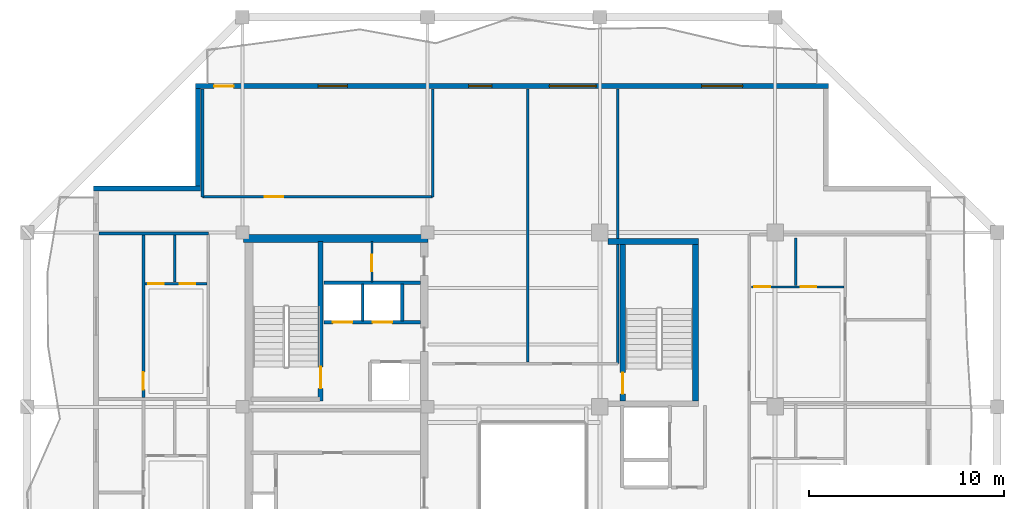
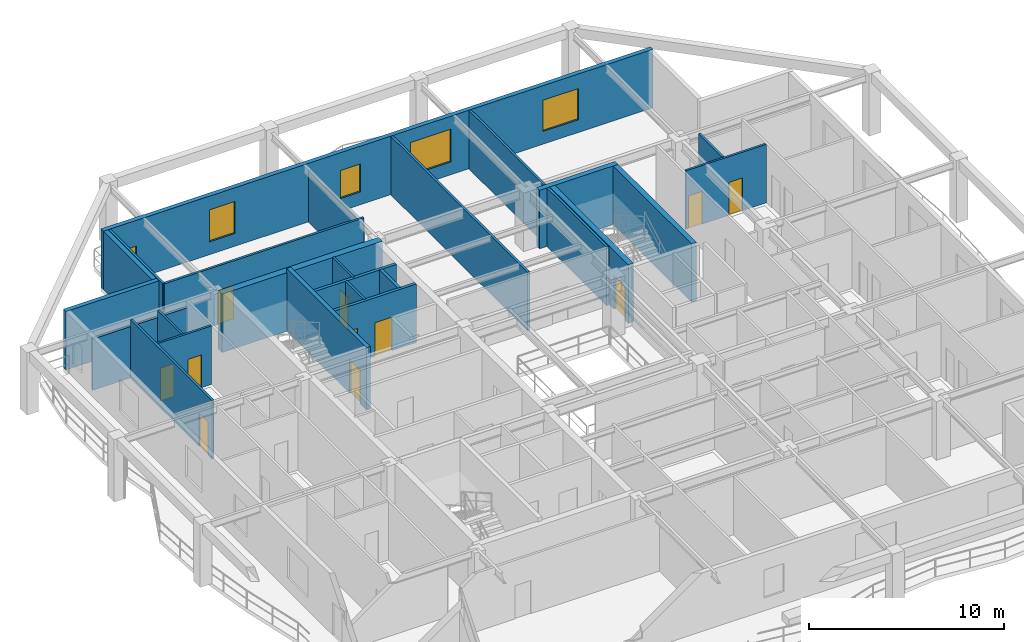
# One storey, part 6 of 13: 24 walls, 12 doors, 4 windows, 16 openings.
"""IFC4 building model written with IfcOpenShell, lengths in metres."""

from ifc_helpers import new_model, si_unit, direction, frame, frame_2d, origin, place, context, subcontext, project, spatial, rectangle, extrude, material, layer, layer_set, type_object, element, fill, save


model = new_model("IFC4")

# Units and contexts
model_context = context("Model", 3, precision=1e-05, world=origin(), true_north=direction((0.0, 1.0)))
body_context = subcontext(model_context, "Body", "Model", "MODEL_VIEW")
ifc_project = project(units=[si_unit("LENGTHUNIT", "METRE"), si_unit("AREAUNIT", "SQUARE_METRE"), si_unit("VOLUMEUNIT", "CUBIC_METRE"), si_unit("PLANEANGLEUNIT", "RADIAN"), si_unit("MASSUNIT", "GRAM", prefix="KILO")], contexts=[model_context])

# Site, building, storey
site_placement = place(None, origin())
site = spatial("IfcSite", under=ifc_project, at=site_placement, CompositionType="ELEMENT")
building_placement = place(site_placement, origin())
building = spatial("IfcBuilding", under=site, at=building_placement, Name="Kundavana Baori Tower", CompositionType="ELEMENT")
storey_placement = place(building_placement, frame((0.0, 0.0, 225.800048828125)))
storey = spatial("IfcBuildingStorey", under=building, at=storey_placement, Name="L55", CompositionType="ELEMENT", Elevation=225.800048828125)

# Wall
ifc_material_1 = material(Name="Concrete C50/60", Category="concrete")
ifc_layer_1 = layer(ifc_material_1, 0.39990234375, Name="WL-CORE-400")
ifc_layer_set_1 = layer_set([ifc_layer_1], Name="Concrete C50/60")
wall_type_1 = type_object("IfcWallType", Name="WL-CORE-400", PredefinedType="SHEAR", material=ifc_layer_set_1)
wall_1_placement = place(storey_placement, frame((15.5, 41.639892578125, 0.0), z_axis=(0.0, 0.0, 1.0), x_axis=(1.0, 0.0, 0.0)))
element("IfcWall", 1, at=wall_1_placement, inside=storey, type_object=wall_type_1, Name="L55 Offset Core North Shear Wall", PredefinedType="SHEAR", context=body_context, shape_type="SweptSolid", body=[
    extrude(rectangle(XDim=9.47998046875, YDim=0.39990234375, at=frame_2d((4.739990234375, 0.0))), origin(), (0.0, 0.0, 1.0), 3.659912109375),
])

# Wall, opening, door
wall_2_placement = place(storey_placement, frame((19.4599609375, 33.300048828125, 0.0), z_axis=(0.0, 0.0, 1.0), x_axis=(0.0, 1.0, 0.0)))
wall_2 = element("IfcWall", 2, at=wall_2_placement, inside=storey, type_object=wall_type_1, Name="WL-L55-ST2-E", PredefinedType="SHEAR", context=body_context, shape_type="SweptSolid", body=[
    extrude(rectangle(XDim=8.179931640625, YDim=0.239990234375, at=frame_2d((4.08984375, 0.0))), origin(), (0.0, 0.0, 1.0), 3.89990234375),
])
opening_1_placement = place(wall_2_placement, frame((0.64990234375, 0.0, 0.0)))
opening_1 = element("IfcOpeningElement", 3, at=opening_1_placement, cuts=wall_2, Name="Opening FD-110", PredefinedType="OPENING", context=body_context, shape_type="SweptSolid", body=[
    extrude(rectangle(XDim=1.10009765625, YDim=2.10009765625, at=frame_2d((0.550048828125, 1.050048828125))), frame((0.0, 0.1298828125, 0.0), z_axis=(0.0, -1.0, 0.0), x_axis=(1.0, 0.0, 0.0)), (0.0, 0.0, 1.0), 0.260009765625),
])
ifc_material_2 = material(Name="Galvanised Steel Fire-Rated Door Leaf", Category="steel")
door_type_1 = type_object("IfcDoorType", Name="DR-FD120-1100", OperationType="NOTDEFINED", PredefinedType="DOOR", material=ifc_material_2)
door_1_placement = place(opening_1_placement, origin())
door_1 = element("IfcDoor", 4, at=door_1_placement, inside=storey, type_object=door_type_1, Name="DR-L55-ST2", OperationType="SINGLE_SWING_RIGHT", OverallHeight=2.10009765625, OverallWidth=1.10009765625, PredefinedType="DOOR", context=body_context, shape_type="SweptSolid", body=[
    extrude(rectangle(XDim=1.10009765625, YDim=2.10009765625, at=frame_2d((0.550048828125, 1.050048828125))), frame((0.0, 0.02490234375, 0.0), z_axis=(0.0, -1.0, 0.0), x_axis=(1.0, 0.0, 0.0)), (0.0, 0.0, 1.0), 0.050048828125),
])
fill(opening_1, door_1)

# Wall, openings, door, windows
ifc_material_3 = material(Name="Kiln-Fired Terracotta Brick-Slip Masonry on Concrete C40/50", Category="masonry")
ifc_layer_2 = layer(ifc_material_3, 0.260009765625, Name="WL-EXT-BRK-260")
ifc_layer_set_2 = layer_set([ifc_layer_2], Name="Kiln-Fired Terracotta Brick-Slip Masonry on Concrete C40/50")
wall_type_2 = type_object("IfcWallType", Name="WL-EXT-BRK-260", PredefinedType="SOLIDWALL", material=ifc_layer_set_2)
wall_3_placement = place(storey_placement, frame((45.550048828125, 49.469970703125, 0.0), z_axis=(0.0, 0.0, 1.0), x_axis=(-1.0, 0.0, 0.0)))
wall_3 = element("IfcWall", 5, at=wall_3_placement, inside=storey, type_object=wall_type_2, Name="L55 Exterior Insulated Facade Wall 07", PredefinedType="SOLIDWALL", context=body_context, shape_type="SweptSolid", body=[
    extrude(rectangle(XDim=32.5, YDim=0.260009765625, at=frame_2d((16.25, 0.0))), origin(), (0.0, 0.0, 1.0), 3.659912109375),
])
opening_2_placement = place(wall_3_placement, frame((30.550048828125, 0.0, 0.0)))
opening_2 = element("IfcOpeningElement", 6, at=opening_2_placement, cuts=wall_3, Name="Opening BD-1", PredefinedType="OPENING", context=body_context, shape_type="SweptSolid", body=[
    extrude(rectangle(XDim=1.0, YDim=2.050048828125, at=frame_2d((0.5, 1.02490234375))), frame((0.0, 0.14013671875, 0.0), z_axis=(0.0, -1.0, 0.0), x_axis=(1.0, 0.0, 0.0)), (0.0, 0.0, 1.0), 0.280029296875),
])
opening_3_placement = place(wall_3_placement, frame((24.715087890625, 0.0, 0.800048828125)))
opening_3 = element("IfcOpeningElement", 7, at=opening_3_placement, cuts=wall_3, Name="Opening W-02", PredefinedType="OPENING", context=body_context, shape_type="SweptSolid", body=[
    extrude(rectangle(XDim=1.5, YDim=2.0, at=frame_2d((0.75, 1.0))), frame((0.0, 0.14013671875, 0.0), z_axis=(0.0, -1.0, 0.0), x_axis=(1.0, 0.0, 0.0)), (0.0, 0.0, 1.0), 0.280029296875),
])
opening_4_placement = place(wall_3_placement, frame((17.2900390625, 0.0, 0.800048828125)))
opening_4 = element("IfcOpeningElement", 8, at=opening_4_placement, cuts=wall_3, Name="Opening W-03", PredefinedType="OPENING", context=body_context, shape_type="SweptSolid", body=[
    extrude(rectangle(XDim=1.199951171875, YDim=1.75, at=frame_2d((0.60009765625, 0.875))), frame((0.0, 0.14013671875, 0.0), z_axis=(0.0, -1.0, 0.0), x_axis=(1.0, 0.0, 0.0)), (0.0, 0.0, 1.0), 0.280029296875),
])
opening_5_placement = place(wall_3_placement, frame((11.93994140625, 0.0, 0.800048828125)))
opening_5 = element("IfcOpeningElement", 9, at=opening_5_placement, cuts=wall_3, Name="Opening W-04", PredefinedType="OPENING", context=body_context, shape_type="SweptSolid", body=[
    extrude(rectangle(XDim=2.39990234375, YDim=2.050048828125, at=frame_2d((1.199951171875, 1.02490234375))), frame((0.0, 0.14013671875, 0.0), z_axis=(0.0, -1.0, 0.0), x_axis=(1.0, 0.0, 0.0)), (0.0, 0.0, 1.0), 0.280029296875),
])
opening_6_placement = place(wall_3_placement, frame((4.419921875, 0.0, 0.800048828125)))
opening_6 = element("IfcOpeningElement", 10, at=opening_6_placement, cuts=wall_3, Name="Opening W-05", PredefinedType="OPENING", context=body_context, shape_type="SweptSolid", body=[
    extrude(rectangle(XDim=2.10009765625, YDim=1.949951171875, at=frame_2d((1.050048828125, 0.97509765625))), frame((0.0, 0.14013671875, 0.0), z_axis=(0.0, -1.0, 0.0), x_axis=(1.0, 0.0, 0.0)), (0.0, 0.0, 1.0), 0.280029296875),
])
ifc_material_4 = material(Name="Architectural Patinated Bronze Metalwork")
door_type_2 = type_object("IfcDoorType", Name="DR-EXT-LOG-1000", OperationType="NOTDEFINED", PredefinedType="DOOR", material=ifc_material_4)
door_2_placement = place(opening_2_placement, frame((1.0, 0.0, 0.0), z_axis=(0.0, 0.0, 1.0), x_axis=(-1.0, 0.0, 0.0)))
door_2 = element("IfcDoor", 11, at=door_2_placement, inside=storey, type_object=door_type_2, Name="L55 Loggia Balcony Access Door N", OperationType="SINGLE_SWING_LEFT", OverallHeight=2.050048828125, OverallWidth=1.0, PredefinedType="DOOR", context=body_context, shape_type="SweptSolid", body=[
    extrude(rectangle(XDim=1.0, YDim=2.050048828125, at=frame_2d((0.5, 1.02490234375))), frame((0.0, 0.02490234375, 0.0), z_axis=(0.0, -1.0, 0.0), x_axis=(1.0, 0.0, 0.0)), (0.0, 0.0, 1.0), 0.050048828125),
])
fill(opening_2, door_2)
ifc_material_5 = material(Name="Double-Glazed Solar-Control Low-E Insulated Glass", Category="glass")
window_type_1 = type_object("IfcWindowType", Name="WIN-LOG-1200x1750", PartitioningType="SINGLE_PANEL", PredefinedType="WINDOW", material=ifc_material_5)
window_1_placement = place(opening_4_placement, origin())
window_1 = element("IfcWindow", 12, at=window_1_placement, inside=storey, type_object=window_type_1, Name="L55 Recessed Loggia Window N-2", OverallHeight=1.75, OverallWidth=1.199951171875, PartitioningType="SINGLE_PANEL", PredefinedType="WINDOW", context=body_context, shape_type="SweptSolid", body=[
    extrude(rectangle(XDim=1.199951171875, YDim=1.75, at=frame_2d((0.60009765625, 0.875))), frame((0.0, 0.030029296875, 0.0), z_axis=(0.0, -1.0, 0.0), x_axis=(1.0, 0.0, 0.0)), (0.0, 0.0, 1.0), 0.06005859375),
])
fill(opening_4, window_1)
ifc_material_6 = material(Name="Double-Glazed Solar-Control Low-E Insulated Glass", Category="glass")
window_type_2 = type_object("IfcWindowType", Name="WIN-LOG-1500x2000", PartitioningType="SINGLE_PANEL", PredefinedType="WINDOW", material=ifc_material_6)
window_2_placement = place(opening_3_placement, origin())
window_2 = element("IfcWindow", 13, at=window_2_placement, inside=storey, type_object=window_type_2, Name="L55 Recessed Loggia Window N-1", OverallHeight=2.0, OverallWidth=1.5, PartitioningType="SINGLE_PANEL", PredefinedType="WINDOW", context=body_context, shape_type="SweptSolid", body=[
    extrude(rectangle(XDim=1.5, YDim=2.0, at=frame_2d((0.75, 1.0))), frame((0.0, 0.030029296875, 0.0), z_axis=(0.0, -1.0, 0.0), x_axis=(1.0, 0.0, 0.0)), (0.0, 0.0, 1.0), 0.06005859375),
])
fill(opening_3, window_2)
ifc_material_7 = material(Name="Double-Glazed Solar-Control Low-E Insulated Glass", Category="glass")
window_type_3 = type_object("IfcWindowType", Name="WIN-LOG-2100x1950", PartitioningType="SINGLE_PANEL", PredefinedType="WINDOW", material=ifc_material_7)
window_3_placement = place(opening_6_placement, origin())
window_3 = element("IfcWindow", 14, at=window_3_placement, inside=storey, type_object=window_type_3, Name="L55 Recessed Loggia Window N-4", OverallHeight=1.949951171875, OverallWidth=2.10009765625, PartitioningType="SINGLE_PANEL", PredefinedType="WINDOW", context=body_context, shape_type="SweptSolid", body=[
    extrude(rectangle(XDim=2.10009765625, YDim=1.949951171875, at=frame_2d((1.050048828125, 0.97509765625))), frame((0.0, 0.030029296875, 0.0), z_axis=(0.0, -1.0, 0.0), x_axis=(1.0, 0.0, 0.0)), (0.0, 0.0, 1.0), 0.06005859375),
])
fill(opening_6, window_3)
ifc_material_8 = material(Name="Double-Glazed Solar-Control Low-E Insulated Glass", Category="glass")
window_type_4 = type_object("IfcWindowType", Name="WIN-LOG-2400x2050", PartitioningType="SINGLE_PANEL", PredefinedType="WINDOW", material=ifc_material_8)
window_4_placement = place(opening_5_placement, origin())
window_4 = element("IfcWindow", 15, at=window_4_placement, inside=storey, type_object=window_type_4, Name="L55 Recessed Loggia Window N-3", OverallHeight=2.050048828125, OverallWidth=2.39990234375, PartitioningType="SINGLE_PANEL", PredefinedType="WINDOW", context=body_context, shape_type="SweptSolid", body=[
    extrude(rectangle(XDim=2.39990234375, YDim=2.050048828125, at=frame_2d((1.199951171875, 1.02490234375))), frame((0.0, 0.030029296875, 0.0), z_axis=(0.0, -1.0, 0.0), x_axis=(1.0, 0.0, 0.0)), (0.0, 0.0, 1.0), 0.06005859375),
])
fill(opening_5, window_4)

# Walls
wall_4_placement = place(storey_placement, frame((13.179931640625, 49.340087890625, 0.0), z_axis=(0.0, 0.0, 1.0), x_axis=(0.0, -1.0, 0.0)))
element("IfcWall", 16, at=wall_4_placement, inside=storey, type_object=wall_type_2, Name="L55 Exterior Insulated Facade Wall 08", PredefinedType="SOLIDWALL", context=body_context, shape_type="SweptSolid", body=[
    extrude(rectangle(XDim=4.989990234375, YDim=0.260009765625, at=frame_2d((2.4951171875, 0.0))), origin(), (0.0, 0.0, 1.0), 3.659912109375),
])
wall_5_placement = place(storey_placement, frame((13.31005859375, 44.219970703125, 0.0), z_axis=(0.0, 0.0, 1.0), x_axis=(-1.0, 0.0, 0.0)))
element("IfcWall", 17, at=wall_5_placement, inside=storey, type_object=wall_type_2, Name="L55 Exterior Insulated Facade Wall 09", PredefinedType="SOLIDWALL", context=body_context, shape_type="SweptSolid", body=[
    extrude(rectangle(XDim=5.510009765625, YDim=0.260009765625, at=frame_2d((2.7548828125, 0.0))), origin(), (0.0, 0.0, 1.0), 3.659912109375),
])
ifc_material_9 = material(Name="Acoustic Gypsum Plasterboard on Galvanised Steel Studs", Category="steel")
ifc_layer_3 = layer(ifc_material_9, 0.1201171875, Name="WL-PART-120")
ifc_layer_set_3 = layer_set([ifc_layer_3], Name="Acoustic Gypsum Plasterboard on Galvanised Steel Studs")
wall_type_3 = type_object("IfcWallType", Name="WL-PART-120", PredefinedType="PARTITIONING", material=ifc_layer_set_3)
wall_6_placement = place(storey_placement, frame((21.6201171875, 37.39990234375, 0.0), z_axis=(0.0, 0.0, 1.0), x_axis=(0.0, 1.0, 0.0)))
element("IfcWall", 18, at=wall_6_placement, inside=storey, type_object=wall_type_3, Name="WL-L55-HR-DIV1", PredefinedType="PARTITIONING", context=body_context, shape_type="SweptSolid", body=[
    extrude(rectangle(XDim=1.900146484375, YDim=0.1201171875, at=frame_2d((0.9501953125, 0.0))), origin(), (0.0, 0.0, 1.0), 3.659912109375),
])

# Wall, opening, door
wall_7_placement = place(storey_placement, frame((22.10009765625, 39.39990234375, 0.0), z_axis=(0.0, 0.0, 1.0), x_axis=(0.0, 1.0, 0.0)))
wall_7 = element("IfcWall", 19, at=wall_7_placement, inside=storey, type_object=wall_type_3, Name="WL-L55-CSRV-D1", PredefinedType="PARTITIONING", context=body_context, shape_type="SweptSolid", body=[
    extrude(rectangle(XDim=2.080078125, YDim=0.1201171875, at=frame_2d((1.0400390625, 0.0))), origin(), (0.0, 0.0, 1.0), 3.659912109375),
])
opening_7_placement = place(wall_7_placement, frame((0.550048828125, 0.0, 0.0)))
opening_7 = element("IfcOpeningElement", 20, at=opening_7_placement, cuts=wall_7, Name="Opening FD-085", PredefinedType="OPENING", context=body_context, shape_type="SweptSolid", body=[
    extrude(rectangle(XDim=0.85009765625, YDim=2.06005859375, at=frame_2d((0.425048828125, 1.030029296875))), frame((0.0, 0.070068359375, 0.0), z_axis=(0.0, -1.0, 0.0), x_axis=(1.0, 0.0, 0.0)), (0.0, 0.0, 1.0), 0.14013671875),
])
ifc_material_10 = material(Name="Galvanised Steel Fire-Rated Door Leaf", Category="steel")
door_type_3 = type_object("IfcDoorType", Name="DR-FD60-850", OperationType="NOTDEFINED", PredefinedType="DOOR", material=ifc_material_10)
door_3_placement = place(opening_7_placement, origin())
door_3 = element("IfcDoor", 21, at=door_3_placement, inside=storey, type_object=door_type_3, Name="DR-L55-CSRV1", OperationType="SINGLE_SWING_LEFT", OverallHeight=2.06005859375, OverallWidth=0.85009765625, PredefinedType="DOOR", context=body_context, shape_type="SweptSolid", body=[
    extrude(rectangle(XDim=0.85009765625, YDim=2.06005859375, at=frame_2d((0.425048828125, 1.030029296875))), frame((0.0, 0.02490234375, 0.0), z_axis=(0.0, -1.0, 0.0), x_axis=(1.0, 0.0, 0.0)), (0.0, 0.0, 1.0), 0.050048828125),
])
fill(opening_7, door_3)

ifc_material_11 = material(Name="Acoustic Gypsum Plasterboard on Galvanised Steel Studs", Category="steel")
ifc_layer_4 = layer(ifc_material_11, 0.135009765625, Name="WL-PART-135")
ifc_layer_set_4 = layer_set([ifc_layer_4], Name="Acoustic Gypsum Plasterboard on Galvanised Steel Studs")
wall_type_4 = type_object("IfcWallType", Name="WL-PART-135", PredefinedType="PARTITIONING", material=ifc_layer_set_4)
wall_8_placement = place(storey_placement, frame((13.39990234375, 43.780029296875, 0.0), z_axis=(0.0, 0.0, 1.0), x_axis=(1.0, 0.0, 0.0)))
wall_8 = element("IfcWall", 22, at=wall_8_placement, inside=storey, type_object=wall_type_4, Name="WL-L55-RNC", PredefinedType="PARTITIONING", context=body_context, shape_type="SweptSolid", body=[
    extrude(rectangle(XDim=11.820068359375, YDim=0.135009765625, at=frame_2d((5.91015625, 0.0))), origin(), (0.0, 0.0, 1.0), 3.659912109375),
])
opening_8_placement = place(wall_8_placement, frame((3.199951171875, 0.0, 0.0)))
opening_8 = element("IfcOpeningElement", 23, at=opening_8_placement, cuts=wall_8, Name="Opening ID-095", PredefinedType="OPENING", context=body_context, shape_type="SweptSolid", body=[
    extrude(rectangle(XDim=0.949951171875, YDim=2.080078125, at=frame_2d((0.47509765625, 1.0400390625))), frame((0.0, 0.07763671875, 0.0), z_axis=(0.0, -1.0, 0.0), x_axis=(1.0, 0.0, 0.0)), (0.0, 0.0, 1.0), 0.155029296875),
])
ifc_material_12 = material(Name="Engineered Teak Solid-Core Timber Veneer", Category="wood")
door_type_4 = type_object("IfcDoorType", Name="DR-INT-950", OperationType="NOTDEFINED", PredefinedType="DOOR", material=ifc_material_12)
door_4_placement = place(opening_8_placement, origin())
door_4 = element("IfcDoor", 24, at=door_4_placement, inside=storey, type_object=door_type_4, Name="DR-L55-RMNW", OperationType="SINGLE_SWING_RIGHT", OverallHeight=2.080078125, OverallWidth=0.949951171875, PredefinedType="DOOR", context=body_context, shape_type="SweptSolid", body=[
    extrude(rectangle(XDim=0.949951171875, YDim=2.080078125, at=frame_2d((0.47509765625, 1.0400390625))), frame((0.0, 0.02490234375, 0.0), z_axis=(0.0, -1.0, 0.0), x_axis=(1.0, 0.0, 0.0)), (0.0, 0.0, 1.0), 0.050048828125),
])
fill(opening_8, door_4)

# Walls
wall_9_placement = place(storey_placement, frame((13.39990234375, 43.780029296875, 0.0), z_axis=(0.0, 0.0, 1.0), x_axis=(0.0, 1.0, 0.0)))
element("IfcWall", 25, at=wall_9_placement, inside=storey, type_object=wall_type_4, Name="WL-L55-RNCW", PredefinedType="PARTITIONING", context=body_context, shape_type="SweptSolid", body=[
    extrude(rectangle(XDim=5.5400390625, YDim=0.135009765625, at=frame_2d((2.77001953125, 0.0))), origin(), (0.0, 0.0, 1.0), 3.659912109375),
])
wall_10_placement = place(storey_placement, frame((25.219970703125, 43.780029296875, 0.0), z_axis=(0.0, 0.0, 1.0), x_axis=(0.0, 1.0, 0.0)))
element("IfcWall", 26, at=wall_10_placement, inside=storey, type_object=wall_type_4, Name="WL-L55-RNCE", PredefinedType="PARTITIONING", context=body_context, shape_type="SweptSolid", body=[
    extrude(rectangle(XDim=5.5400390625, YDim=0.135009765625, at=frame_2d((2.77001953125, 0.0))), origin(), (0.0, 0.0, 1.0), 3.2099609375),
])
wall_11_placement = place(storey_placement, frame((8.080078125, 41.89990234375, 0.0), z_axis=(0.0, 0.0, 1.0), x_axis=(1.0, 0.0, 0.0)))
element("IfcWall", 27, at=wall_11_placement, inside=storey, type_object=wall_type_4, Name="WL-L55-RWN", PredefinedType="PARTITIONING", context=body_context, shape_type="SweptSolid", body=[
    extrude(rectangle(XDim=5.619873046875, YDim=0.135009765625, at=frame_2d((2.81005859375, 0.0))), origin(), (0.0, 0.0, 1.0), 3.2099609375),
])

# Wall, opening, door
wall_12_placement = place(storey_placement, frame((10.3701171875, 33.47998046875, 0.0), z_axis=(0.0, 0.0, 1.0), x_axis=(0.0, 1.0, 0.0)))
wall_12 = element("IfcWall", 28, at=wall_12_placement, inside=storey, type_object=wall_type_4, Name="WL-L55-W3-VT", PredefinedType="PARTITIONING", context=body_context, shape_type="SweptSolid", body=[
    extrude(rectangle(XDim=8.340087890625, YDim=0.135009765625, at=frame_2d((4.169921875, 0.0))), origin(), (0.0, 0.0, 1.0), 3.659912109375),
])
opening_9_placement = place(wall_12_placement, frame((0.39990234375, 0.0, 0.0)))
opening_9 = element("IfcOpeningElement", 29, at=opening_9_placement, cuts=wall_12, Name="Opening ID-090", PredefinedType="OPENING", context=body_context, shape_type="SweptSolid", body=[
    extrude(rectangle(XDim=0.89990234375, YDim=2.080078125, at=frame_2d((0.449951171875, 1.0400390625))), frame((0.0, 0.07763671875, 0.0), z_axis=(0.0, -1.0, 0.0), x_axis=(1.0, 0.0, 0.0)), (0.0, 0.0, 1.0), 0.155029296875),
])
ifc_material_13 = material(Name="Engineered Teak Solid-Core Timber Veneer", Category="wood")
door_type_5 = type_object("IfcDoorType", Name="DR-INT-900", OperationType="NOTDEFINED", PredefinedType="DOOR", material=ifc_material_13)
door_5_placement = place(opening_9_placement, frame((0.89990234375, 0.0, 0.0), z_axis=(0.0, 0.0, 1.0), x_axis=(-1.0, 0.0, 0.0)))
door_5 = element("IfcDoor", 30, at=door_5_placement, inside=storey, type_object=door_type_5, Name="DR-L55-W3-B1", OperationType="SINGLE_SWING_LEFT", OverallHeight=2.080078125, OverallWidth=0.89990234375, PredefinedType="DOOR", context=body_context, shape_type="SweptSolid", body=[
    extrude(rectangle(XDim=0.89990234375, YDim=2.080078125, at=frame_2d((0.449951171875, 1.0400390625))), frame((0.0, 0.02490234375, 0.0), z_axis=(0.0, -1.0, 0.0), x_axis=(1.0, 0.0, 0.0)), (0.0, 0.0, 1.0), 0.050048828125),
])
fill(opening_9, door_5)

# Walls
wall_13_placement = place(storey_placement, frame((34.719970703125, 35.219970703125, 0.0), z_axis=(0.0, 0.0, 1.0), x_axis=(0.0, 1.0, 0.0)))
element("IfcWall", 31, at=wall_13_placement, inside=storey, type_object=wall_type_4, Name="WL-L55-RNEND", PredefinedType="PARTITIONING", context=body_context, shape_type="SweptSolid", body=[
    extrude(rectangle(XDim=14.10009765625, YDim=0.135009765625, at=frame_2d((7.050048828125, 0.0))), origin(), (0.0, 0.0, 1.0), 3.659912109375),
])
wall_14_placement = place(storey_placement, frame((30.10009765625, 35.300048828125, 0.0), z_axis=(0.0, 0.0, 1.0), x_axis=(0.0, 1.0, 0.0)))
element("IfcWall", 32, at=wall_14_placement, inside=storey, type_object=wall_type_4, Name="WL-L55-RND1", PredefinedType="PARTITIONING", context=body_context, shape_type="SweptSolid", body=[
    extrude(rectangle(XDim=14.02001953125, YDim=0.135009765625, at=frame_2d((7.010009765625, 0.0))), origin(), (0.0, 0.0, 1.0), 3.659912109375),
])

# Wall, openings, doors
ifc_material_14 = material(Name="Autoclaved Aerated Concrete Blockwork Masonry", Category="masonry")
ifc_layer_5 = layer(ifc_material_14, 0.179931640625, Name="WL-SHAFT-180")
ifc_layer_set_5 = layer_set([ifc_layer_5], Name="Autoclaved Aerated Concrete Blockwork Masonry")
wall_type_5 = type_object("IfcWallType", Name="WL-SHAFT-180", PredefinedType="SOLIDWALL", material=ifc_layer_set_5)
wall_15_placement = place(storey_placement, frame((19.639892578125, 37.340087890625, 0.0), z_axis=(0.0, 0.0, 1.0), x_axis=(1.0, 0.0, 0.0)))
wall_15 = element("IfcWall", 33, at=wall_15_placement, inside=storey, type_object=wall_type_5, Name="WL-L55-HRLOB-N", PredefinedType="SOLIDWALL", context=body_context, shape_type="SweptSolid", body=[
    extrude(rectangle(XDim=4.940185546875, YDim=0.179931640625, at=frame_2d((2.47021484375, 0.0))), origin(), (0.0, 0.0, 1.0), 3.659912109375),
])
opening_10_placement = place(wall_15_placement, frame((0.449951171875, 0.0, 0.0)))
opening_10 = element("IfcOpeningElement", 34, at=opening_10_placement, cuts=wall_15, Name="Opening LD-100", PredefinedType="OPENING", context=body_context, shape_type="SweptSolid", body=[
    extrude(rectangle(XDim=1.0, YDim=2.10009765625, at=frame_2d((0.5, 1.050048828125))), frame((0.0, 0.10009765625, 0.0), z_axis=(0.0, -1.0, 0.0), x_axis=(1.0, 0.0, 0.0)), (0.0, 0.0, 1.0), 0.199951171875),
])
opening_11_placement = place(wall_15_placement, frame((2.5, 0.0, 0.0)))
opening_11 = element("IfcOpeningElement", 35, at=opening_11_placement, cuts=wall_15, Name="Opening LD-100", PredefinedType="OPENING", context=body_context, shape_type="SweptSolid", body=[
    extrude(rectangle(XDim=1.0, YDim=2.10009765625, at=frame_2d((0.5, 1.050048828125))), frame((0.0, 0.10009765625, 0.0), z_axis=(0.0, -1.0, 0.0), x_axis=(1.0, 0.0, 0.0)), (0.0, 0.0, 1.0), 0.199951171875),
])
ifc_material_15 = material(Name="Galvanised Steel Fire-Rated Door Leaf", Category="steel")
door_type_6 = type_object("IfcDoorType", Name="DR-SLIDE-LD1000", OperationType="NOTDEFINED", PredefinedType="DOOR", material=ifc_material_15)
door_6_placement = place(opening_10_placement, frame((1.0, 0.0, 0.0), z_axis=(0.0, 0.0, 1.0), x_axis=(-1.0, 0.0, 0.0)))
door_6 = element("IfcDoor", 36, at=door_6_placement, inside=storey, type_object=door_type_6, Name="DR-L55-LD-LP09", OperationType="DOUBLE_DOOR_SLIDING", OverallHeight=2.10009765625, OverallWidth=1.0, PredefinedType="DOOR", context=body_context, shape_type="SweptSolid", body=[
    extrude(rectangle(XDim=1.0, YDim=2.10009765625, at=frame_2d((0.5, 1.050048828125))), frame((0.0, 0.02490234375, 0.0), z_axis=(0.0, -1.0, 0.0), x_axis=(1.0, 0.0, 0.0)), (0.0, 0.0, 1.0), 0.050048828125),
])
fill(opening_10, door_6)
door_7_placement = place(opening_11_placement, frame((1.0, 0.0, 0.0), z_axis=(0.0, 0.0, 1.0), x_axis=(-1.0, 0.0, 0.0)))
door_7 = element("IfcDoor", 37, at=door_7_placement, inside=storey, type_object=door_type_6, Name="DR-L55-LD-LP10", OperationType="DOUBLE_DOOR_SLIDING", OverallHeight=2.10009765625, OverallWidth=1.0, PredefinedType="DOOR", context=body_context, shape_type="SweptSolid", body=[
    extrude(rectangle(XDim=1.0, YDim=2.10009765625, at=frame_2d((0.5, 1.050048828125))), frame((0.0, 0.02490234375, 0.0), z_axis=(0.0, -1.0, 0.0), x_axis=(1.0, 0.0, 0.0)), (0.0, 0.0, 1.0), 0.050048828125),
])
fill(opening_11, door_7)

# Walls
wall_16_placement = place(storey_placement, frame((19.639892578125, 39.360107421875, 0.0), z_axis=(0.0, 0.0, 1.0), x_axis=(1.0, 0.0, 0.0)))
element("IfcWall", 38, at=wall_16_placement, inside=storey, type_object=wall_type_5, Name="WL-L55-HRLOB-TOP", PredefinedType="SOLIDWALL", context=body_context, shape_type="SweptSolid", body=[
    extrude(rectangle(XDim=4.940185546875, YDim=0.179931640625, at=frame_2d((2.47021484375, 0.0))), origin(), (0.0, 0.0, 1.0), 3.659912109375),
])
wall_17_placement = place(storey_placement, frame((23.659912109375, 37.39990234375, 0.0), z_axis=(0.0, 0.0, 1.0), x_axis=(0.0, 1.0, 0.0)))
element("IfcWall", 39, at=wall_17_placement, inside=storey, type_object=wall_type_5, Name="WL-L55-HR-DIV2", PredefinedType="SOLIDWALL", context=body_context, shape_type="SweptSolid", body=[
    extrude(rectangle(XDim=1.900146484375, YDim=0.179931640625, at=frame_2d((0.9501953125, 0.0))), origin(), (0.0, 0.0, 1.0), 3.659912109375),
])
ifc_material_16 = material(Name="Concrete C50/60", Category="concrete")
ifc_layer_6 = layer(ifc_material_16, 0.300048828125, Name="WL-ST3-300")
ifc_layer_set_6 = layer_set([ifc_layer_6], Name="Concrete C50/60")
wall_type_6 = type_object("IfcWallType", Name="WL-ST3-300", PredefinedType="SHEAR", material=ifc_layer_set_6)
wall_18_placement = place(storey_placement, frame((34.22509765625, 41.489990234375, 0.0), z_axis=(0.0, 0.0, 1.0), x_axis=(1.0, 0.0, 0.0)))
element("IfcWall", 40, at=wall_18_placement, inside=storey, type_object=wall_type_6, Name="L55 Stair ST3 North Shear Wall", PredefinedType="SHEAR", context=body_context, shape_type="SweptSolid", body=[
    extrude(rectangle(XDim=4.64501953125, YDim=0.300048828125, at=frame_2d((2.322509765625, 0.0))), origin(), (0.0, 0.0, 1.0), 3.659912109375),
])

# Wall, opening, door
wall_19_placement = place(storey_placement, frame((34.97998046875, 33.31005859375, 0.0), z_axis=(0.0, 0.0, 1.0), x_axis=(0.0, 1.0, 0.0)))
wall_19 = element("IfcWall", 41, at=wall_19_placement, inside=storey, type_object=wall_type_6, Name="L55 Stair ST3 West Shear Wall", PredefinedType="SHEAR", context=body_context, shape_type="SweptSolid", body=[
    extrude(rectangle(XDim=8.030029296875, YDim=0.300048828125, at=frame_2d((4.01513671875, 0.0))), origin(), (0.0, 0.0, 1.0), 3.659912109375),
])
opening_12_placement = place(wall_19_placement, frame((0.35009765625, 0.0, 0.0)))
opening_12 = element("IfcOpeningElement", 42, at=opening_12_placement, cuts=wall_19, Name="Opening FD-110", PredefinedType="OPENING", context=body_context, shape_type="SweptSolid", body=[
    extrude(rectangle(XDim=1.10009765625, YDim=2.10009765625, at=frame_2d((0.550048828125, 1.050048828125))), frame((0.0, 0.16015625, 0.0), z_axis=(0.0, -1.0, 0.0), x_axis=(1.0, 0.0, 0.0)), (0.0, 0.0, 1.0), 0.320068359375),
])
door_8_placement = place(opening_12_placement, origin())
door_8 = element("IfcDoor", 43, at=door_8_placement, inside=storey, type_object=door_type_1, Name="DR-L55-ST3-W", OperationType="SINGLE_SWING_LEFT", OverallHeight=2.10009765625, OverallWidth=1.10009765625, PredefinedType="DOOR", context=body_context, shape_type="SweptSolid", body=[
    extrude(rectangle(XDim=1.10009765625, YDim=2.10009765625, at=frame_2d((0.550048828125, 1.050048828125))), frame((0.0, 0.02490234375, 0.0), z_axis=(0.0, -1.0, 0.0), x_axis=(1.0, 0.0, 0.0)), (0.0, 0.0, 1.0), 0.050048828125),
])
fill(opening_12, door_8)

# Wall
wall_20_placement = place(storey_placement, frame((38.719970703125, 33.31005859375, 0.0), z_axis=(0.0, 0.0, 1.0), x_axis=(0.0, 1.0, 0.0)))
element("IfcWall", 44, at=wall_20_placement, inside=storey, type_object=wall_type_6, Name="L55 Stair ST3 East Shear Wall", PredefinedType="SHEAR", context=body_context, shape_type="SweptSolid", body=[
    extrude(rectangle(XDim=8.030029296875, YDim=0.300048828125, at=frame_2d((4.01513671875, 0.0))), origin(), (0.0, 0.0, 1.0), 3.659912109375),
])

# Wall, openings, doors
ifc_material_17 = material(Name="Autoclaved Aerated Concrete Blockwork Masonry", Category="masonry")
ifc_layer_7 = layer(ifc_material_17, 0.125, Name="WL-WET-120")
ifc_layer_set_7 = layer_set([ifc_layer_7], Name="Autoclaved Aerated Concrete Blockwork Masonry")
wall_type_7 = type_object("IfcWallType", Name="WL-WET-120", PredefinedType="PLUMBINGWALL", material=ifc_layer_set_7)
wall_21_placement = place(storey_placement, frame((10.449951171875, 39.318115234375, 0.0), z_axis=(0.0, 0.0, 1.0), x_axis=(1.0, 0.0, 0.0)))
wall_21 = element("IfcWall", 45, at=wall_21_placement, inside=storey, type_object=wall_type_7, Name="WL-L55-W3-KH", PredefinedType="PLUMBINGWALL", context=body_context, shape_type="SweptSolid", body=[
    extrude(rectangle(XDim=3.170166015625, YDim=0.125, at=frame_2d((1.5849609375, 0.0))), origin(), (0.0, 0.0, 1.0), 3.659912109375),
])
opening_13_placement = place(wall_21_placement, frame((0.159912109375, 0.0, 0.0)))
opening_13 = element("IfcOpeningElement", 46, at=opening_13_placement, cuts=wall_21, Name="Opening WD-080", PredefinedType="OPENING", context=body_context, shape_type="SweptSolid", body=[
    extrude(rectangle(XDim=0.800048828125, YDim=2.050048828125, at=frame_2d((0.39990234375, 1.02490234375))), frame((0.0, 0.072509765625, 0.0), z_axis=(0.0, -1.0, 0.0), x_axis=(1.0, 0.0, 0.0)), (0.0, 0.0, 1.0), 0.14501953125),
])
opening_14_placement = place(wall_21_placement, frame((1.781982421875, 0.0, 0.0)))
opening_14 = element("IfcOpeningElement", 47, at=opening_14_placement, cuts=wall_21, Name="Opening WD-080", PredefinedType="OPENING", context=body_context, shape_type="SweptSolid", body=[
    extrude(rectangle(XDim=0.800048828125, YDim=2.050048828125, at=frame_2d((0.39990234375, 1.02490234375))), frame((0.0, 0.072509765625, 0.0), z_axis=(0.0, -1.0, 0.0), x_axis=(1.0, 0.0, 0.0)), (0.0, 0.0, 1.0), 0.14501953125),
])
ifc_material_18 = material(Name="Engineered Teak Solid-Core Timber Veneer", Category="wood")
door_type_7 = type_object("IfcDoorType", Name="DR-WET-800", OperationType="NOTDEFINED", PredefinedType="DOOR", material=ifc_material_18)
door_9_placement = place(opening_13_placement, origin())
door_9 = element("IfcDoor", 48, at=door_9_placement, inside=storey, type_object=door_type_7, Name="DR-L55-W3-BT", OperationType="SINGLE_SWING_LEFT", OverallHeight=2.050048828125, OverallWidth=0.800048828125, PredefinedType="DOOR", context=body_context, shape_type="SweptSolid", body=[
    extrude(rectangle(XDim=0.800048828125, YDim=2.050048828125, at=frame_2d((0.39990234375, 1.02490234375))), frame((0.0, 0.02490234375, 0.0), z_axis=(0.0, -1.0, 0.0), x_axis=(1.0, 0.0, 0.0)), (0.0, 0.0, 1.0), 0.050048828125),
])
fill(opening_13, door_9)
door_10_placement = place(opening_14_placement, origin())
door_10 = element("IfcDoor", 49, at=door_10_placement, inside=storey, type_object=door_type_7, Name="DR-L55-W3-KT", OperationType="SINGLE_SWING_RIGHT", OverallHeight=2.050048828125, OverallWidth=0.800048828125, PredefinedType="DOOR", context=body_context, shape_type="SweptSolid", body=[
    extrude(rectangle(XDim=0.800048828125, YDim=2.050048828125, at=frame_2d((0.39990234375, 1.02490234375))), frame((0.0, 0.02490234375, 0.0), z_axis=(0.0, -1.0, 0.0), x_axis=(1.0, 0.0, 0.0)), (0.0, 0.0, 1.0), 0.050048828125),
])
fill(opening_14, door_10)

# Wall
wall_22_placement = place(storey_placement, frame((11.971923828125, 39.39794921875, 0.0), z_axis=(0.0, 0.0, 1.0), x_axis=(0.0, 1.0, 0.0)))
element("IfcWall", 50, at=wall_22_placement, inside=storey, type_object=wall_type_7, Name="WL-L55-W3-BV", PredefinedType="PLUMBINGWALL", context=body_context, shape_type="SweptSolid", body=[
    extrude(rectangle(XDim=2.422119140625, YDim=0.125, at=frame_2d((1.2109375, 0.0))), origin(), (0.0, 0.0, 1.0), 3.659912109375),
])

# Wall, openings, doors
wall_23_placement = place(storey_placement, frame((41.580078125, 39.153076171875, 0.0), z_axis=(0.0, 0.0, 1.0), x_axis=(1.0, 0.0, 0.0)))
wall_23 = element("IfcWall", 51, at=wall_23_placement, inside=storey, type_object=wall_type_7, Name="WL-L55-E3-KH", PredefinedType="PLUMBINGWALL", context=body_context, shape_type="SweptSolid", body=[
    extrude(rectangle(XDim=4.747802734375, YDim=0.125, at=frame_2d((2.3740234375, 0.0))), origin(), (0.0, 0.0, 1.0), 3.659912109375),
])
opening_15_placement = place(wall_23_placement, frame((0.159912109375, 0.0, 0.0)))
opening_15 = element("IfcOpeningElement", 52, at=opening_15_placement, cuts=wall_23, Name="Opening WD-080", PredefinedType="OPENING", context=body_context, shape_type="SweptSolid", body=[
    extrude(rectangle(XDim=0.800048828125, YDim=2.050048828125, at=frame_2d((0.39990234375, 1.02490234375))), frame((0.0, 0.072509765625, 0.0), z_axis=(0.0, -1.0, 0.0), x_axis=(1.0, 0.0, 0.0)), (0.0, 0.0, 1.0), 0.14501953125),
])
opening_16_placement = place(wall_23_placement, frame((2.5390625, 0.0, 0.0)))
opening_16 = element("IfcOpeningElement", 53, at=opening_16_placement, cuts=wall_23, Name="Opening WD-080", PredefinedType="OPENING", context=body_context, shape_type="SweptSolid", body=[
    extrude(rectangle(XDim=0.800048828125, YDim=2.050048828125, at=frame_2d((0.39990234375, 1.02490234375))), frame((0.0, 0.072509765625, 0.0), z_axis=(0.0, -1.0, 0.0), x_axis=(1.0, 0.0, 0.0)), (0.0, 0.0, 1.0), 0.14501953125),
])
door_11_placement = place(opening_15_placement, origin())
door_11 = element("IfcDoor", 54, at=door_11_placement, inside=storey, type_object=door_type_7, Name="DR-L55-E3-BT", OperationType="SINGLE_SWING_LEFT", OverallHeight=2.050048828125, OverallWidth=0.800048828125, PredefinedType="DOOR", context=body_context, shape_type="SweptSolid", body=[
    extrude(rectangle(XDim=0.800048828125, YDim=2.050048828125, at=frame_2d((0.39990234375, 1.02490234375))), frame((0.0, 0.02490234375, 0.0), z_axis=(0.0, -1.0, 0.0), x_axis=(1.0, 0.0, 0.0)), (0.0, 0.0, 1.0), 0.050048828125),
])
fill(opening_15, door_11)
door_12_placement = place(opening_16_placement, origin())
door_12 = element("IfcDoor", 55, at=door_12_placement, inside=storey, type_object=door_type_7, Name="DR-L55-E3-KT", OperationType="SINGLE_SWING_RIGHT", OverallHeight=2.050048828125, OverallWidth=0.800048828125, PredefinedType="DOOR", context=body_context, shape_type="SweptSolid", body=[
    extrude(rectangle(XDim=0.800048828125, YDim=2.050048828125, at=frame_2d((0.39990234375, 1.02490234375))), frame((0.0, 0.02490234375, 0.0), z_axis=(0.0, -1.0, 0.0), x_axis=(1.0, 0.0, 0.0)), (0.0, 0.0, 1.0), 0.050048828125),
])
fill(opening_16, door_12)

# Wall
wall_24_placement = place(storey_placement, frame((43.85888671875, 39.23291015625, 0.0), z_axis=(0.0, 0.0, 1.0), x_axis=(0.0, 1.0, 0.0)))
element("IfcWall", 56, at=wall_24_placement, inside=storey, type_object=wall_type_7, Name="WL-L55-E3-BV", PredefinedType="PLUMBINGWALL", context=body_context, shape_type="SweptSolid", body=[
    extrude(rectangle(XDim=2.43701171875, YDim=0.125, at=frame_2d((1.218505859375, 0.0))), origin(), (0.0, 0.0, 1.0), 3.659912109375),
])

save(model, "model.ifc")
